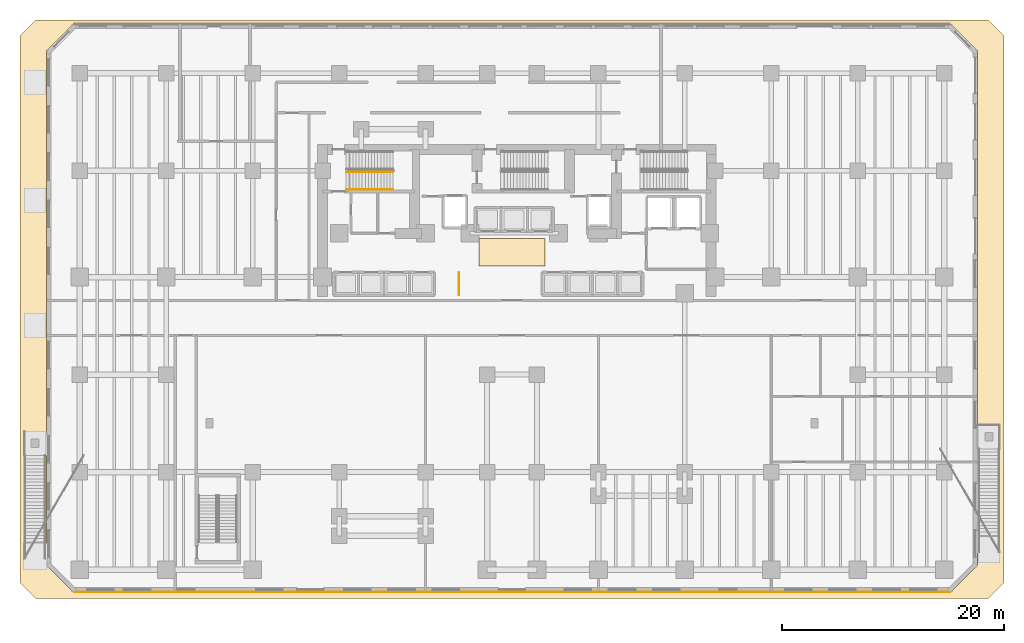
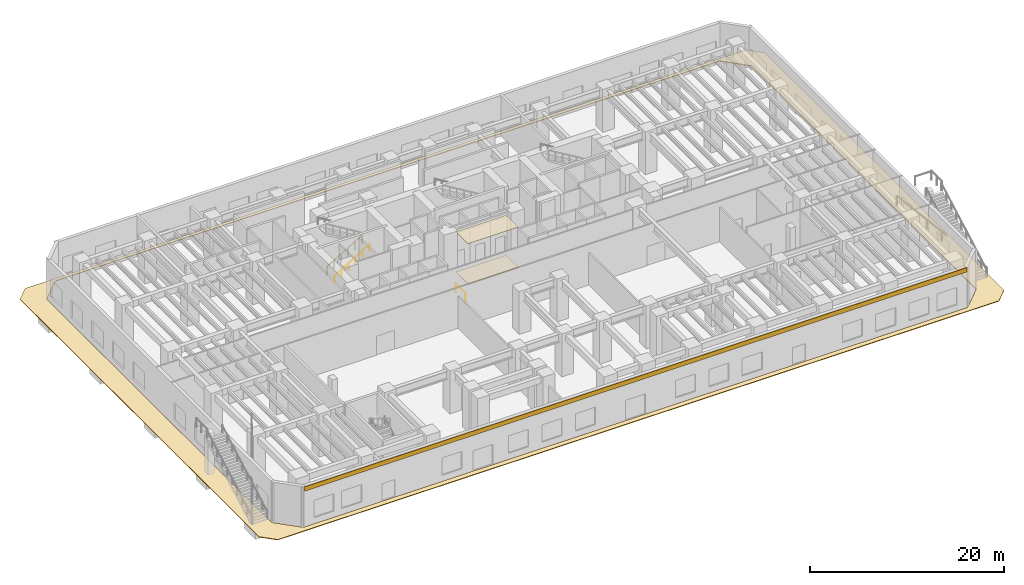
# One storey, part 14 of 17: 4 coverings, 3 railings.
"""IFC4 building model written with IfcOpenShell, lengths in metres."""

from ifc_helpers import new_model, si_unit, direction, frame, origin, origin_2d, place, context, subcontext, project, spatial, polyline, rectangle, circle, outline, extrude, material, layer, layer_set, type_object, element, save


model = new_model("IFC4")

# Units and contexts
model_context = context("Model", 3, precision=1e-05, world=origin(), true_north=direction((0.0, 1.0)))
body_context = subcontext(model_context, "Body", "Model", "MODEL_VIEW")
ifc_project = project(units=[si_unit("LENGTHUNIT", "METRE"), si_unit("AREAUNIT", "SQUARE_METRE"), si_unit("VOLUMEUNIT", "CUBIC_METRE"), si_unit("PLANEANGLEUNIT", "RADIAN"), si_unit("MASSUNIT", "GRAM", prefix="KILO")], contexts=[model_context])

# Site, building, storey
site_placement = place(None, origin())
site = spatial("IfcSite", under=ifc_project, at=site_placement, CompositionType="ELEMENT")
building_placement = place(site_placement, origin())
building = spatial("IfcBuilding", under=site, at=building_placement, Name="Kestravale Grand Hotel", CompositionType="ELEMENT")
storey_placement = place(building_placement, origin())
storey = spatial("IfcBuildingStorey", under=building, at=storey_placement, Name="L00", CompositionType="ELEMENT", Elevation=0.0)

# Coverings
ifc_material_1 = material(Name="Warm limestone-toned fluted architectural precast cladding", Category="masonry")
ifc_layer_1 = layer(ifc_material_1, 0.074951171875)
ifc_layer_set_1 = layer_set([ifc_layer_1], Name="COV-CLAD-LIM")
covering_type_1 = type_object("IfcCoveringType", Name="COV-CLAD-LIM", PredefinedType="CLADDING", material=ifc_layer_set_1)
covering_1_placement = place(storey_placement, frame((39.0, 0.385009765625, 4.52490234375), z_axis=(0.0, 0.0, 1.0), x_axis=(1.0, 0.0, 0.0)))
element("IfcCovering", 1, at=covering_1_placement, inside=storey, type_object=covering_type_1, Name="L00 fluted limestone spandrel cladding 1", PredefinedType="CLADDING", context=body_context, shape_type="SweptSolid", body=[
    extrude(rectangle(XDim=78.97998046875, YDim=0.074951171875, at=origin_2d()), origin(), (0.0, 0.0, 1.0), 0.550048828125),
])
ifc_material_2 = material(Name="Perforated gypsum and mineral-fibre acoustic ceiling", Category="other")
ifc_layer_2 = layer(ifc_material_2, 0.044921875)
ifc_layer_set_2 = layer_set([ifc_layer_2], Name="COV-INT-CEIL")
covering_type_2 = type_object("IfcCoveringType", Name="COV-INT-CEIL", PredefinedType="CEILING", material=ifc_layer_set_2)
covering_2_placement = place(storey_placement, frame((0.0, 0.0, 5.054931640625)))
element("IfcCovering", 2, at=covering_2_placement, inside=storey, type_object=covering_type_2, Name="L00 elevator lobby acoustic coffered ceiling", PredefinedType="CEILING", context=body_context, shape_type="SweptSolid", body=[
    extrude(outline(polyline([(36.0, 29.800048828125), (42.0, 29.800048828125), (42.0, 32.300048828125), (36.0, 32.300048828125), (36.0, 29.800048828125)])), origin(), (0.0, 0.0, 1.0), 0.045166015625),
])
ifc_material_3 = material(Name="Polished Art Deco brass-inlaid terrazzo flooring", Category="masonry")
ifc_layer_3 = layer(ifc_material_3, 0.034912109375)
ifc_layer_set_3 = layer_set([ifc_layer_3], Name="COV-INT-TERZ")
covering_type_3 = type_object("IfcCoveringType", Name="COV-INT-TERZ", PredefinedType="FLOORING", material=ifc_layer_set_3)
covering_3_placement = place(storey_placement, origin())
element("IfcCovering", 3, at=covering_3_placement, inside=storey, type_object=covering_type_3, Name="L00 elevator lobby brass-inlaid terrazzo floor", PredefinedType="FLOORING", context=body_context, shape_type="SweptSolid", body=[
    extrude(outline(polyline([(36.0, 29.800048828125), (42.0, 29.800048828125), (42.0, 32.300048828125), (36.0, 32.300048828125), (36.0, 29.800048828125)])), origin(), (0.0, 0.0, 1.0), 0.034912109375),
])
ifc_material_4 = material(Name="Honed Utah granite plaza paving", Category="masonry")
ifc_layer_4 = layer(ifc_material_4, 0.080078125)
ifc_layer_set_4 = layer_set([ifc_layer_4], Name="COV-PAV-GRN")
covering_type_4 = type_object("IfcCoveringType", Name="COV-PAV-GRN", PredefinedType="FLOORING", material=ifc_layer_set_4)
covering_4_placement = place(storey_placement, frame((0.0, 0.0, -0.080078125)))
element("IfcCovering", 4, at=covering_4_placement, inside=storey, type_object=covering_type_4, Name="L00 streetfront granite sidewalk plaza apron", PredefinedType="FLOORING", context=body_context, shape_type="SweptSolid", body=[
    extrude(outline(polyline([(-5.39990234375, 1.199951171875), (-5.39990234375, 50.60009765625), (-4.0, 52.0), (82.0, 52.0), (83.39990234375, 50.60009765625), (83.39990234375, 1.199951171875), (82.0, -0.199951171875), (-4.0, -0.199951171875), (-5.39990234375, 1.199951171875)]), holes=[polyline([(-0.606201171875, 0.392333984375), (-0.605712890625, 0.3916015625), (-0.604736328125, 0.39111328125), (-0.603759765625, 0.390869140625), (-0.602783203125, 0.390380859375), (-0.60205078125, 0.39013671875), (-0.60107421875, 0.389892578125), (-0.60009765625, 0.389892578125), (78.60009765625, 0.389892578125), (78.60107421875, 0.389892578125), (78.60205078125, 0.39013671875), (78.602783203125, 0.390380859375), (78.603759765625, 0.390869140625), (78.604736328125, 0.39111328125), (78.605712890625, 0.3916015625), (78.606201171875, 0.392333984375), (78.607177734375, 0.392822265625), (81.007080078125, 2.79296875), (81.0078125, 2.793701171875), (81.00830078125, 2.79443359375), (81.0087890625, 2.79541015625), (81.00927734375, 2.796142578125), (81.009521484375, 2.797119140625), (81.009765625, 2.798095703125), (81.010009765625, 2.799072265625), (81.010009765625, 2.800048828125), (81.010009765625, 49.199951171875), (81.010009765625, 49.200927734375), (81.009765625, 49.201904296875), (81.009521484375, 49.202880859375), (81.00927734375, 49.203857421875), (81.0087890625, 49.20458984375), (81.00830078125, 49.20556640625), (81.0078125, 49.206298828125), (81.007080078125, 49.20703125), (78.607177734375, 51.607177734375), (78.606201171875, 51.607666015625), (78.605712890625, 51.6083984375), (78.604736328125, 51.60888671875), (78.603759765625, 51.609130859375), (78.602783203125, 51.609619140625), (78.60205078125, 51.60986328125), (78.60107421875, 51.610107421875), (78.60009765625, 51.610107421875), (-0.60009765625, 51.610107421875), (-0.60107421875, 51.610107421875), (-0.60205078125, 51.60986328125), (-0.602783203125, 51.609619140625), (-0.603759765625, 51.609130859375), (-0.604736328125, 51.60888671875), (-0.605712890625, 51.6083984375), (-0.606201171875, 51.607666015625), (-0.607177734375, 51.607177734375), (-3.007080078125, 49.20703125), (-3.0078125, 49.206298828125), (-3.00830078125, 49.20556640625), (-3.0087890625, 49.20458984375), (-3.00927734375, 49.203857421875), (-3.009521484375, 49.202880859375), (-3.009765625, 49.201904296875), (-3.010009765625, 49.200927734375), (-3.010009765625, 49.199951171875), (-3.010009765625, 2.800048828125), (-3.010009765625, 2.799072265625), (-3.009765625, 2.798095703125), (-3.009521484375, 2.797119140625), (-3.00927734375, 2.796142578125), (-3.0087890625, 2.79541015625), (-3.00830078125, 2.79443359375), (-3.0078125, 2.793701171875), (-3.007080078125, 2.79296875), (-0.607177734375, 0.392822265625), (-0.606201171875, 0.392333984375)])]), origin(), (0.0, 0.0, 1.0), 0.080078125),
])

# Railings
ifc_material_5 = material(Name="Art Deco fluted bronze interior gallery balustrade", Category="steel")
railing_type_1 = type_object("IfcRailingType", Name="RL-INT-BAL1100", PredefinedType="BALUSTRADE", material=ifc_material_5)
railing_1_placement = place(storey_placement, frame((34.199951171875, 27.199951171875, 0.0)))
element("IfcRailing", 5, at=railing_1_placement, inside=storey, type_object=railing_type_1, Name="L00 Art Deco bronze concourse balustrade", PredefinedType="BALUSTRADE", context=body_context, shape_type="SweptSolid", body=[
    extrude(circle(Radius=0.02392578125, at=origin_2d()), frame((0.0, 0.0, 1.076171875), z_axis=(0.0, 1.0, 0.0), x_axis=(-1.0, 0.0, 0.0)), (0.0, 0.0, 1.0), 2.0),
    extrude(circle(Radius=0.02099609375, at=origin_2d()), origin(), (0.0, 0.0, 1.0), 1.052001953125),
    extrude(circle(Radius=0.02099609375, at=origin_2d()), frame((0.0, 2.0, 0.0)), (0.0, 0.0, 1.0), 1.052001953125),
])
ifc_material_6 = material(Name="Painted tubular steel stair well guard", Category="steel")
railing_type_2 = type_object("IfcRailingType", Name="RL-ST-GRD1100", PredefinedType="GUARDRAIL", material=ifc_material_6)
railing_2_placement = place(storey_placement, frame((24.080078125, 38.280029296875, 0.168701171875)))
element("IfcRailing", 6, at=railing_2_placement, inside=storey, type_object=railing_type_2, Name="L00 ST-1 stair guard 1", PredefinedType="GUARDRAIL", context=body_context, shape_type="SweptSolid", body=[
    extrude(circle(Radius=0.02392578125, at=origin_2d()), frame((0.0, 0.0, 1.076171875), z_axis=(0.856476492594, 0.0, 0.516186030065), x_axis=(0.0, 1.0, 0.0)), (0.0, 0.0, 1.0), 4.90380859375),
    extrude(circle(Radius=0.02099609375, at=origin_2d()), origin(), (0.0, 0.0, 1.0), 1.052001953125),
    extrude(circle(Radius=0.02099609375, at=origin_2d()), frame((0.840087890625, 0.0, 0.50634765625)), (0.0, 0.0, 1.0), 1.052001953125),
    extrude(circle(Radius=0.02099609375, at=origin_2d()), frame((1.679931640625, 0.0, 1.012451171875)), (0.0, 0.0, 1.0), 1.052001953125),
    extrude(circle(Radius=0.02099609375, at=origin_2d()), frame((2.52001953125, 0.0, 1.518798828125)), (0.0, 0.0, 1.0), 1.052001953125),
    extrude(circle(Radius=0.02099609375, at=origin_2d()), frame((3.35986328125, 0.0, 2.02490234375)), (0.0, 0.0, 1.0), 1.052001953125),
    extrude(circle(Radius=0.02099609375, at=origin_2d()), frame((4.199951171875, 0.0, 2.53125)), (0.0, 0.0, 1.0), 1.052001953125),
])
ifc_material_7 = material(Name="Brushed stainless steel wall handrail", Category="steel")
railing_type_3 = type_object("IfcRailingType", Name="RL-ST-HND900", PredefinedType="HANDRAIL", material=ifc_material_7)
railing_3_placement = place(storey_placement, frame((24.080078125, 36.699951171875, 0.168701171875)))
element("IfcRailing", 7, at=railing_3_placement, inside=storey, type_object=railing_type_3, Name="L00 ST-1 stair handrail 1", PredefinedType="HANDRAIL", context=body_context, shape_type="SweptSolid", body=[
    extrude(circle(Radius=0.02392578125, at=origin_2d()), frame((0.0, 0.0, 0.8759765625), z_axis=(0.856476492594, 0.0, 0.516186030065), x_axis=(0.0, 1.0, 0.0)), (0.0, 0.0, 1.0), 4.90380859375),
    extrude(circle(Radius=0.02099609375, at=origin_2d()), origin(), (0.0, 0.0, 1.0), 0.851806640625),
    extrude(circle(Radius=0.02099609375, at=origin_2d()), frame((0.840087890625, 0.0, 0.50634765625)), (0.0, 0.0, 1.0), 0.851806640625),
    extrude(circle(Radius=0.02099609375, at=origin_2d()), frame((1.679931640625, 0.0, 1.012451171875)), (0.0, 0.0, 1.0), 0.851806640625),
    extrude(circle(Radius=0.02099609375, at=origin_2d()), frame((2.52001953125, 0.0, 1.518798828125)), (0.0, 0.0, 1.0), 0.851806640625),
    extrude(circle(Radius=0.02099609375, at=origin_2d()), frame((3.35986328125, 0.0, 2.02490234375)), (0.0, 0.0, 1.0), 0.851806640625),
    extrude(circle(Radius=0.02099609375, at=origin_2d()), frame((4.199951171875, 0.0, 2.53125)), (0.0, 0.0, 1.0), 0.851806640625),
])

save(model, "model.ifc")
